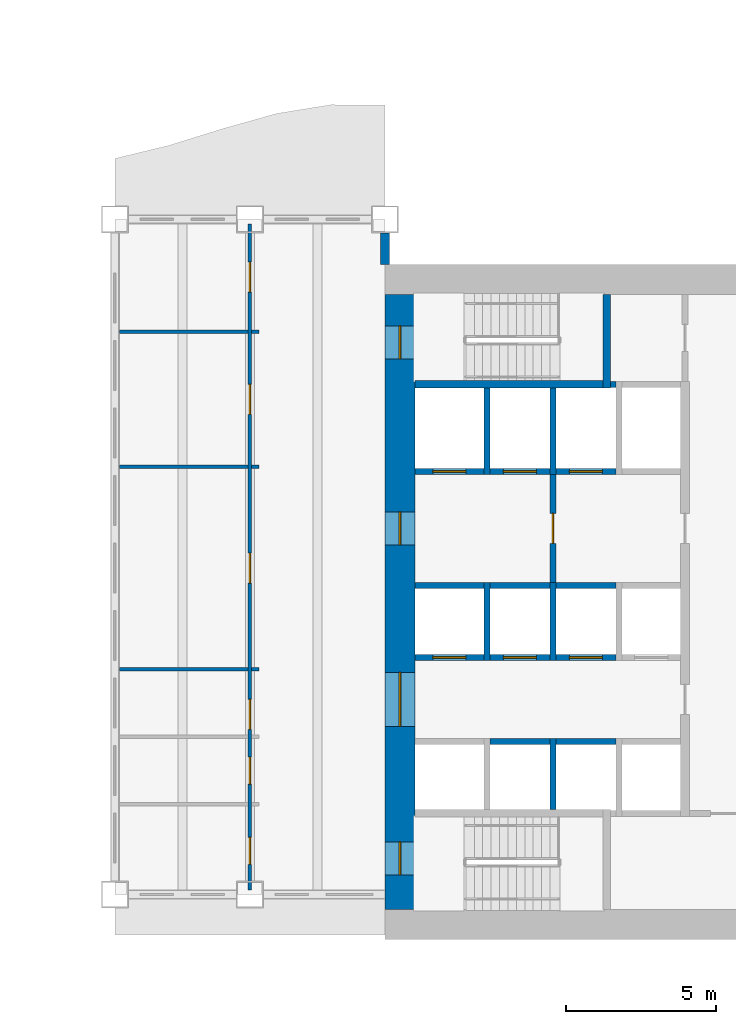
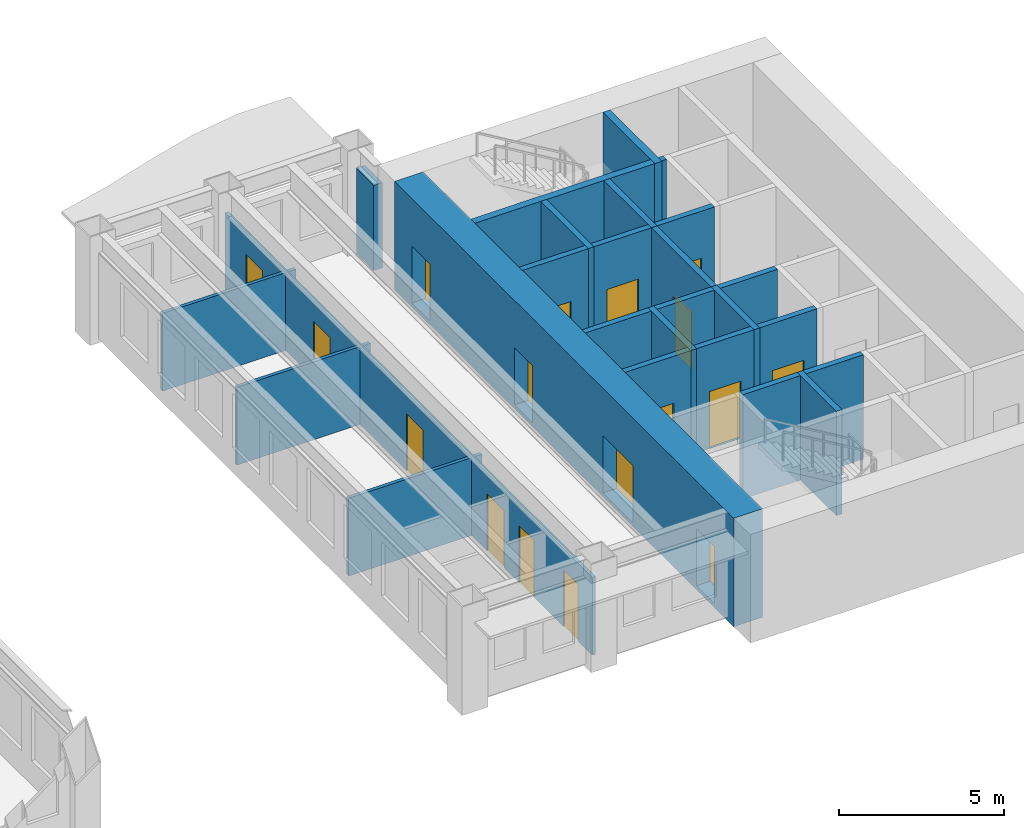
# One storey, part 6 of 13: 29 walls, 17 doors, 17 openings.
"""IFC4 building model written with IfcOpenShell, lengths in metres."""

from ifc_helpers import new_model, si_unit, direction, frame, frame_2d, origin, place, context, subcontext, project, spatial, rectangle, extrude, material, layer, layer_set, type_object, element, fill, save


model = new_model("IFC4")

# Units and contexts
model_context = context("Model", 3, precision=1e-05, world=origin(), true_north=direction((0.0, 1.0)))
body_context = subcontext(model_context, "Body", "Model", "MODEL_VIEW")
ifc_project = project(units=[si_unit("LENGTHUNIT", "METRE"), si_unit("AREAUNIT", "SQUARE_METRE"), si_unit("VOLUMEUNIT", "CUBIC_METRE"), si_unit("PLANEANGLEUNIT", "RADIAN"), si_unit("MASSUNIT", "GRAM", prefix="KILO")], contexts=[model_context])

# Site, building, storey
site_placement = place(None, origin())
site = spatial("IfcSite", under=ifc_project, at=site_placement, CompositionType="ELEMENT")
building_placement = place(site_placement, origin())
building = spatial("IfcBuilding", under=site, at=building_placement, Name="Sennacour Bend Tower", CompositionType="ELEMENT")
storey_placement = place(building_placement, frame((0.0, 0.0, 139.0)))
storey = spatial("IfcBuildingStorey", under=building, at=storey_placement, Name="L31", CompositionType="ELEMENT", Elevation=139.0)

# Wall, openings, doors
ifc_material_1 = material(Name="Concrete C60/75", Category="concrete")
ifc_layer_1 = layer(ifc_material_1, 1.0, Name="Concrete C60/75", Category="concrete")
ifc_layer_set_1 = layer_set([ifc_layer_1], Name="Concrete C60/75")
wall_type_1 = type_object("IfcWallType", Name="Core wall 1000 C60/75", PredefinedType="SHEAR", material=ifc_layer_set_1)
wall_1_placement = place(storey_placement, frame((54.5, 1.0, -0.14990234375), z_axis=(0.0, 0.0, 1.0), x_axis=(0.0, 1.0, 0.0)))
wall_1 = element("IfcWall", 1, at=wall_1_placement, inside=storey, type_object=wall_type_1, Name="Core A wall L31 W", PredefinedType="SHEAR", context=body_context, shape_type="SweptSolid", body=[
    extrude(rectangle(XDim=20.5, YDim=1.0, at=frame_2d((10.25, 0.0))), origin(), (0.0, 0.0, 1.0), 4.0),
])
opening_1_placement = place(wall_1_placement, frame((6.10009765625, 0.0, 0.14990234375)))
opening_1 = element("IfcOpeningElement", 2, at=opening_1_placement, cuts=wall_1, Name="Opening CD", PredefinedType="OPENING", context=body_context, shape_type="SweptSolid", body=[
    extrude(rectangle(XDim=1.800048828125, YDim=2.10009765625, at=frame_2d((0.89990234375, 1.050048828125))), frame((0.0, 0.510009765625, 0.0), z_axis=(0.0, -1.0, 0.0), x_axis=(1.0, 0.0, 0.0)), (0.0, 0.0, 1.0), 1.02001953125),
])
opening_2_placement = place(wall_1_placement, frame((12.14990234375, 0.0, 0.14990234375)))
opening_2 = element("IfcOpeningElement", 3, at=opening_2_placement, cuts=wall_1, Name="Opening FD", PredefinedType="OPENING", context=body_context, shape_type="SweptSolid", body=[
    extrude(rectangle(XDim=1.10009765625, YDim=2.10009765625, at=frame_2d((0.550048828125, 1.050048828125))), frame((0.0, 0.510009765625, 0.0), z_axis=(0.0, -1.0, 0.0), x_axis=(1.0, 0.0, 0.0)), (0.0, 0.0, 1.0), 1.02001953125),
])
opening_3_placement = place(wall_1_placement, frame((1.14990234375, 0.0, 0.14990234375)))
opening_3 = element("IfcOpeningElement", 4, at=opening_3_placement, cuts=wall_1, Name="Opening SD", PredefinedType="OPENING", context=body_context, shape_type="SweptSolid", body=[
    extrude(rectangle(XDim=1.10009765625, YDim=2.10009765625, at=frame_2d((0.550048828125, 1.050048828125))), frame((0.0, 0.510009765625, 0.0), z_axis=(0.0, -1.0, 0.0), x_axis=(1.0, 0.0, 0.0)), (0.0, 0.0, 1.0), 1.02001953125),
])
opening_4_placement = place(wall_1_placement, frame((18.35009765625, 0.0, 0.14990234375)))
opening_4 = element("IfcOpeningElement", 5, at=opening_4_placement, cuts=wall_1, Name="Opening SD", PredefinedType="OPENING", context=body_context, shape_type="SweptSolid", body=[
    extrude(rectangle(XDim=1.10009765625, YDim=2.10009765625, at=frame_2d((0.550048828125, 1.050048828125))), frame((0.0, 0.510009765625, 0.0), z_axis=(0.0, -1.0, 0.0), x_axis=(1.0, 0.0, 0.0)), (0.0, 0.0, 1.0), 1.02001953125),
])
ifc_material_2 = material(Name="Painted steel", Category="steel")
door_type_1 = type_object("IfcDoorType", Name="DR-FFL-1100", OperationType="NOTDEFINED", PredefinedType="DOOR", material=ifc_material_2)
door_1_placement = place(opening_2_placement, origin())
door_1 = element("IfcDoor", 6, at=door_1_placement, inside=storey, type_object=door_type_1, Name="Door", OperationType="SINGLE_SWING_RIGHT", OverallHeight=2.10009765625, OverallWidth=1.10009765625, PredefinedType="DOOR", context=body_context, shape_type="SweptSolid", body=[
    extrude(rectangle(XDim=1.10009765625, YDim=2.10009765625, at=frame_2d((0.550048828125, 1.050048828125))), frame((0.0, 0.02490234375, 0.0), z_axis=(0.0, -1.0, 0.0), x_axis=(1.0, 0.0, 0.0)), (0.0, 0.0, 1.0), 0.050048828125),
])
fill(opening_2, door_1)
door_type_2 = type_object("IfcDoorType", Name="DR-LOBBY-1800", OperationType="NOTDEFINED", PredefinedType="DOOR", material=ifc_material_2)
door_2_placement = place(opening_1_placement, origin())
door_2 = element("IfcDoor", 7, at=door_2_placement, inside=storey, type_object=door_type_2, Name="Door", OperationType="DOUBLE_DOOR_SINGLE_SWING", OverallHeight=2.10009765625, OverallWidth=1.800048828125, PredefinedType="DOOR", context=body_context, shape_type="SweptSolid", body=[
    extrude(rectangle(XDim=1.800048828125, YDim=2.10009765625, at=frame_2d((0.89990234375, 1.050048828125))), frame((0.0, 0.02490234375, 0.0), z_axis=(0.0, -1.0, 0.0), x_axis=(1.0, 0.0, 0.0)), (0.0, 0.0, 1.0), 0.050048828125),
])
fill(opening_1, door_2)
door_type_3 = type_object("IfcDoorType", Name="DR-STAIR-1100", OperationType="NOTDEFINED", PredefinedType="DOOR", material=ifc_material_2)
door_3_placement = place(opening_3_placement, origin())
door_3 = element("IfcDoor", 8, at=door_3_placement, inside=storey, type_object=door_type_3, Name="Door", OperationType="SINGLE_SWING_LEFT", OverallHeight=2.10009765625, OverallWidth=1.10009765625, PredefinedType="DOOR", context=body_context, shape_type="SweptSolid", body=[
    extrude(rectangle(XDim=1.10009765625, YDim=2.10009765625, at=frame_2d((0.550048828125, 1.050048828125))), frame((0.0, 0.02490234375, 0.0), z_axis=(0.0, -1.0, 0.0), x_axis=(1.0, 0.0, 0.0)), (0.0, 0.0, 1.0), 0.050048828125),
])
fill(opening_3, door_3)
door_4_placement = place(opening_4_placement, origin())
door_4 = element("IfcDoor", 9, at=door_4_placement, inside=storey, type_object=door_type_3, Name="Door", OperationType="SINGLE_SWING_RIGHT", OverallHeight=2.10009765625, OverallWidth=1.10009765625, PredefinedType="DOOR", context=body_context, shape_type="SweptSolid", body=[
    extrude(rectangle(XDim=1.10009765625, YDim=2.10009765625, at=frame_2d((0.550048828125, 1.050048828125))), frame((0.0, 0.02490234375, 0.0), z_axis=(0.0, -1.0, 0.0), x_axis=(1.0, 0.0, 0.0)), (0.0, 0.0, 1.0), 0.050048828125),
])
fill(opening_4, door_4)

ifc_material_3 = material(Name="Plasterboard partition on steel studs", Category="steel")
ifc_layer_2 = layer(ifc_material_3, 0.1201171875, Name="Plasterboard partition on steel studs", Category="steel")
ifc_layer_set_2 = layer_set([ifc_layer_2], Name="Plasterboard partition on steel studs")
wall_type_2 = type_object("IfcWallType", Name="Partition 120", PredefinedType="PARTITIONING", material=ifc_layer_set_2)
wall_2_placement = place(storey_placement, frame((49.5, 1.64990234375, 0.0), z_axis=(0.0, 0.0, 1.0), x_axis=(0.0, 1.0, 0.0)))
wall_2 = element("IfcWall", 10, at=wall_2_placement, inside=storey, type_object=wall_type_2, Name="P-L31-W026a", PredefinedType="PARTITIONING", context=body_context, shape_type="SweptSolid", body=[
    extrude(rectangle(XDim=22.2001953125, YDim=0.1201171875, at=frame_2d((11.10009765625, 0.0))), origin(), (0.0, 0.0, 1.0), 2.8701171875),
])
opening_5_placement = place(wall_2_placement, frame((0.85009765625, 0.0, 0.0)))
opening_5 = element("IfcOpeningElement", 11, at=opening_5_placement, cuts=wall_2, Name="Opening WD", PredefinedType="OPENING", context=body_context, shape_type="SweptSolid", body=[
    extrude(rectangle(XDim=0.89990234375, YDim=2.10009765625, at=frame_2d((0.449951171875, 1.050048828125))), frame((0.0, 0.070068359375, 0.0), z_axis=(0.0, -1.0, 0.0), x_axis=(1.0, 0.0, 0.0)), (0.0, 0.0, 1.0), 0.14013671875),
])
opening_6_placement = place(wall_2_placement, frame((3.525146484375, 0.0, 0.0)))
opening_6 = element("IfcOpeningElement", 12, at=opening_6_placement, cuts=wall_2, Name="Opening WD", PredefinedType="OPENING", context=body_context, shape_type="SweptSolid", body=[
    extrude(rectangle(XDim=0.89990234375, YDim=2.10009765625, at=frame_2d((0.449951171875, 1.050048828125))), frame((0.0, 0.070068359375, 0.0), z_axis=(0.0, -1.0, 0.0), x_axis=(1.0, 0.0, 0.0)), (0.0, 0.0, 1.0), 0.14013671875),
])
opening_7_placement = place(wall_2_placement, frame((5.35009765625, 0.0, 0.0)))
opening_7 = element("IfcOpeningElement", 13, at=opening_7_placement, cuts=wall_2, Name="Opening AD", PredefinedType="OPENING", context=body_context, shape_type="SweptSolid", body=[
    extrude(rectangle(XDim=1.0, YDim=2.10009765625, at=frame_2d((0.5, 1.050048828125))), frame((0.0, 0.070068359375, 0.0), z_axis=(0.0, -1.0, 0.0), x_axis=(1.0, 0.0, 0.0)), (0.0, 0.0, 1.0), 0.14013671875),
])
opening_8_placement = place(wall_2_placement, frame((10.22509765625, 0.0, 0.0)))
opening_8 = element("IfcOpeningElement", 14, at=opening_8_placement, cuts=wall_2, Name="Opening MD2", PredefinedType="OPENING", context=body_context, shape_type="SweptSolid", body=[
    extrude(rectangle(XDim=1.0, YDim=2.10009765625, at=frame_2d((0.5, 1.050048828125))), frame((0.0, 0.070068359375, 0.0), z_axis=(0.0, -1.0, 0.0), x_axis=(1.0, 0.0, 0.0)), (0.0, 0.0, 1.0), 0.14013671875),
])
opening_9_placement = place(wall_2_placement, frame((15.85009765625, 0.0, 0.0)))
opening_9 = element("IfcOpeningElement", 15, at=opening_9_placement, cuts=wall_2, Name="Opening OD2", PredefinedType="OPENING", context=body_context, shape_type="SweptSolid", body=[
    extrude(rectangle(XDim=1.0, YDim=2.10009765625, at=frame_2d((0.5, 1.050048828125))), frame((0.0, 0.070068359375, 0.0), z_axis=(0.0, -1.0, 0.0), x_axis=(1.0, 0.0, 0.0)), (0.0, 0.0, 1.0), 0.14013671875),
])
opening_10_placement = place(wall_2_placement, frame((19.920166015625, 0.0, 0.0)))
opening_10 = element("IfcOpeningElement", 16, at=opening_10_placement, cuts=wall_2, Name="Opening OD2", PredefinedType="OPENING", context=body_context, shape_type="SweptSolid", body=[
    extrude(rectangle(XDim=1.0, YDim=2.10009765625, at=frame_2d((0.5, 1.050048828125))), frame((0.0, 0.070068359375, 0.0), z_axis=(0.0, -1.0, 0.0), x_axis=(1.0, 0.0, 0.0)), (0.0, 0.0, 1.0), 0.14013671875),
])
ifc_material_4 = material(Name="Timber", Category="wood")
door_type_4 = type_object("IfcDoorType", Name="DR-ACC-WC-1000", OperationType="NOTDEFINED", PredefinedType="DOOR", material=ifc_material_4)
door_5_placement = place(opening_7_placement, origin())
door_5 = element("IfcDoor", 17, at=door_5_placement, inside=storey, type_object=door_type_4, Name="Door", OperationType="SINGLE_SWING_LEFT", OverallHeight=2.10009765625, OverallWidth=1.0, PredefinedType="DOOR", context=body_context, shape_type="SweptSolid", body=[
    extrude(rectangle(XDim=1.0, YDim=2.10009765625, at=frame_2d((0.5, 1.050048828125))), frame((0.0, 0.02490234375, 0.0), z_axis=(0.0, -1.0, 0.0), x_axis=(1.0, 0.0, 0.0)), (0.0, 0.0, 1.0), 0.050048828125),
])
fill(opening_7, door_5)
door_type_5 = type_object("IfcDoorType", Name="DR-MEETING-1000", OperationType="NOTDEFINED", PredefinedType="DOOR", material=ifc_material_4)
door_6_placement = place(opening_8_placement, origin())
door_6 = element("IfcDoor", 18, at=door_6_placement, inside=storey, type_object=door_type_5, Name="Door", OperationType="SINGLE_SWING_LEFT", OverallHeight=2.10009765625, OverallWidth=1.0, PredefinedType="DOOR", context=body_context, shape_type="SweptSolid", body=[
    extrude(rectangle(XDim=1.0, YDim=2.10009765625, at=frame_2d((0.5, 1.050048828125))), frame((0.0, 0.02490234375, 0.0), z_axis=(0.0, -1.0, 0.0), x_axis=(1.0, 0.0, 0.0)), (0.0, 0.0, 1.0), 0.050048828125),
])
fill(opening_8, door_6)
door_type_6 = type_object("IfcDoorType", Name="DR-OFFICE-1000", OperationType="NOTDEFINED", PredefinedType="DOOR", material=ifc_material_4)
door_7_placement = place(opening_9_placement, origin())
door_7 = element("IfcDoor", 19, at=door_7_placement, inside=storey, type_object=door_type_6, Name="Door", OperationType="SINGLE_SWING_RIGHT", OverallHeight=2.10009765625, OverallWidth=1.0, PredefinedType="DOOR", context=body_context, shape_type="SweptSolid", body=[
    extrude(rectangle(XDim=1.0, YDim=2.10009765625, at=frame_2d((0.5, 1.050048828125))), frame((0.0, 0.02490234375, 0.0), z_axis=(0.0, -1.0, 0.0), x_axis=(1.0, 0.0, 0.0)), (0.0, 0.0, 1.0), 0.050048828125),
])
fill(opening_9, door_7)
door_8_placement = place(opening_10_placement, origin())
door_8 = element("IfcDoor", 20, at=door_8_placement, inside=storey, type_object=door_type_6, Name="Door", OperationType="SINGLE_SWING_RIGHT", OverallHeight=2.10009765625, OverallWidth=1.0, PredefinedType="DOOR", context=body_context, shape_type="SweptSolid", body=[
    extrude(rectangle(XDim=1.0, YDim=2.10009765625, at=frame_2d((0.5, 1.050048828125))), frame((0.0, 0.02490234375, 0.0), z_axis=(0.0, -1.0, 0.0), x_axis=(1.0, 0.0, 0.0)), (0.0, 0.0, 1.0), 0.050048828125),
])
fill(opening_10, door_8)
door_type_7 = type_object("IfcDoorType", Name="DR-WC-900", OperationType="NOTDEFINED", PredefinedType="DOOR", material=ifc_material_4)
door_9_placement = place(opening_5_placement, origin())
door_9 = element("IfcDoor", 21, at=door_9_placement, inside=storey, type_object=door_type_7, Name="Door", OperationType="SINGLE_SWING_LEFT", OverallHeight=2.10009765625, OverallWidth=0.89990234375, PredefinedType="DOOR", context=body_context, shape_type="SweptSolid", body=[
    extrude(rectangle(XDim=0.89990234375, YDim=2.10009765625, at=frame_2d((0.449951171875, 1.050048828125))), frame((0.0, 0.02490234375, 0.0), z_axis=(0.0, -1.0, 0.0), x_axis=(1.0, 0.0, 0.0)), (0.0, 0.0, 1.0), 0.050048828125),
])
fill(opening_5, door_9)
door_10_placement = place(opening_6_placement, origin())
door_10 = element("IfcDoor", 22, at=door_10_placement, inside=storey, type_object=door_type_7, Name="Door", OperationType="SINGLE_SWING_LEFT", OverallHeight=2.10009765625, OverallWidth=0.89990234375, PredefinedType="DOOR", context=body_context, shape_type="SweptSolid", body=[
    extrude(rectangle(XDim=0.89990234375, YDim=2.10009765625, at=frame_2d((0.449951171875, 1.050048828125))), frame((0.0, 0.02490234375, 0.0), z_axis=(0.0, -1.0, 0.0), x_axis=(1.0, 0.0, 0.0)), (0.0, 0.0, 1.0), 0.050048828125),
])
fill(opening_6, door_10)

# Walls
wall_3_placement = place(storey_placement, frame((45.14990234375, 9.0, 0.0), z_axis=(0.0, 0.0, 1.0), x_axis=(1.0, 0.0, 0.0)))
element("IfcWall", 23, at=wall_3_placement, inside=storey, type_object=wall_type_2, Name="P-L31-W054aa", PredefinedType="PARTITIONING", context=body_context, shape_type="SweptSolid", body=[
    extrude(rectangle(XDim=4.2900390625, YDim=0.1201171875, at=frame_2d((2.14501953125, 0.0))), origin(), (0.0, 0.0, 1.0), 2.8701171875),
])
wall_4_placement = place(storey_placement, frame((49.56005859375, 9.0, 0.0), z_axis=(0.0, 0.0, 1.0), x_axis=(1.0, 0.0, 0.0)))
element("IfcWall", 24, at=wall_4_placement, inside=storey, type_object=wall_type_2, Name="P-L31-W054ab", PredefinedType="PARTITIONING", context=body_context, shape_type="SweptSolid", body=[
    extrude(rectangle(XDim=0.239990234375, YDim=0.1201171875, at=frame_2d((0.1201171875, 0.0))), origin(), (0.0, 0.0, 1.0), 2.8701171875),
])
wall_5_placement = place(storey_placement, frame((45.14990234375, 15.75, 0.0), z_axis=(0.0, 0.0, 1.0), x_axis=(1.0, 0.0, 0.0)))
element("IfcWall", 25, at=wall_5_placement, inside=storey, type_object=wall_type_2, Name="P-L31-W060aa", PredefinedType="PARTITIONING", context=body_context, shape_type="SweptSolid", body=[
    extrude(rectangle(XDim=4.2900390625, YDim=0.1201171875, at=frame_2d((2.14501953125, 0.0))), origin(), (0.0, 0.0, 1.0), 2.8701171875),
])
wall_6_placement = place(storey_placement, frame((49.56005859375, 15.75, 0.0), z_axis=(0.0, 0.0, 1.0), x_axis=(1.0, 0.0, 0.0)))
element("IfcWall", 26, at=wall_6_placement, inside=storey, type_object=wall_type_2, Name="P-L31-W060ab", PredefinedType="PARTITIONING", context=body_context, shape_type="SweptSolid", body=[
    extrude(rectangle(XDim=0.239990234375, YDim=0.1201171875, at=frame_2d((0.1201171875, 0.0))), origin(), (0.0, 0.0, 1.0), 2.8701171875),
])
wall_7_placement = place(storey_placement, frame((45.14990234375, 20.25, 0.0), z_axis=(0.0, 0.0, 1.0), x_axis=(1.0, 0.0, 0.0)))
element("IfcWall", 27, at=wall_7_placement, inside=storey, type_object=wall_type_2, Name="P-L31-W064aa", PredefinedType="PARTITIONING", context=body_context, shape_type="SweptSolid", body=[
    extrude(rectangle(XDim=4.2900390625, YDim=0.1201171875, at=frame_2d((2.14501953125, 0.0))), origin(), (0.0, 0.0, 1.0), 2.8701171875),
])
wall_8_placement = place(storey_placement, frame((49.56005859375, 20.25, 0.0), z_axis=(0.0, 0.0, 1.0), x_axis=(1.0, 0.0, 0.0)))
element("IfcWall", 28, at=wall_8_placement, inside=storey, type_object=wall_type_2, Name="P-L31-W064ab", PredefinedType="PARTITIONING", context=body_context, shape_type="SweptSolid", body=[
    extrude(rectangle(XDim=0.239990234375, YDim=0.1201171875, at=frame_2d((0.1201171875, 0.0))), origin(), (0.0, 0.0, 1.0), 2.8701171875),
])

# Wall, opening, door
ifc_material_5 = material(Name="Fire-rated plasterboard partition on steel studs", Category="steel")
ifc_layer_3 = layer(ifc_material_5, 0.199951171875, Name="Fire-rated plasterboard partition on steel studs", Category="steel")
ifc_layer_set_3 = layer_set([ifc_layer_3], Name="Fire-rated plasterboard partition on steel studs")
wall_type_3 = type_object("IfcWallType", Name="Rated partition 200 EI 90", PredefinedType="PARTITIONING", material=ifc_layer_set_3)
wall_9_placement = place(storey_placement, frame((59.60009765625, 11.89990234375, 0.0), z_axis=(0.0, 0.0, 1.0), x_axis=(0.0, 1.0, 0.0)))
wall_9 = element("IfcWall", 29, at=wall_9_placement, inside=storey, type_object=wall_type_3, Name="P-L31-W033", PredefinedType="PARTITIONING", context=body_context, shape_type="SweptSolid", body=[
    extrude(rectangle(XDim=3.60009765625, YDim=0.199951171875, at=frame_2d((1.800048828125, 0.0))), origin(), (0.0, 0.0, 1.0), 3.85009765625),
])
opening_11_placement = place(wall_9_placement, frame((1.300048828125, 0.0, 0.0)))
opening_11 = element("IfcOpeningElement", 30, at=opening_11_placement, cuts=wall_9, Name="Opening FD2", PredefinedType="OPENING", context=body_context, shape_type="SweptSolid", body=[
    extrude(rectangle(XDim=1.0, YDim=2.10009765625, at=frame_2d((0.5, 1.050048828125))), frame((0.0, 0.10986328125, 0.0), z_axis=(0.0, -1.0, 0.0), x_axis=(1.0, 0.0, 0.0)), (0.0, 0.0, 1.0), 0.219970703125),
])
door_type_8 = type_object("IfcDoorType", Name="DR-FFL-1000", OperationType="NOTDEFINED", PredefinedType="DOOR", material=ifc_material_2)
door_11_placement = place(opening_11_placement, origin())
door_11 = element("IfcDoor", 31, at=door_11_placement, inside=storey, type_object=door_type_8, Name="Door", OperationType="SINGLE_SWING_LEFT", OverallHeight=2.10009765625, OverallWidth=1.0, PredefinedType="DOOR", context=body_context, shape_type="SweptSolid", body=[
    extrude(rectangle(XDim=1.0, YDim=2.10009765625, at=frame_2d((0.5, 1.050048828125))), frame((0.0, 0.02490234375, 0.0), z_axis=(0.0, -1.0, 0.0), x_axis=(1.0, 0.0, 0.0)), (0.0, 0.0, 1.0), 0.050048828125),
])
fill(opening_11, door_11)

# Walls
ifc_material_6 = material(Name="Warm limestone cladding", Category="masonry")
ifc_layer_4 = layer(ifc_material_6, 0.050048828125, Name="Warm limestone cladding", Category="masonry")
ifc_material_7 = material(Name="Precast concrete C40/50", Category="concrete")
ifc_layer_5 = layer(ifc_material_7, 0.25, Name="Precast concrete C40/50", Category="concrete")
ifc_layer_set_4 = layer_set([ifc_layer_4, ifc_layer_5], Name="Precast concrete C40/50 with limestone cladding")
wall_type_4 = type_object("IfcWallType", Name="STONE-CLAD PRECAST SPANDREL 300", PredefinedType="STANDARD", material=ifc_layer_set_4)
wall_10_placement = place(storey_placement, frame((54.0, 22.5, 0.0), z_axis=(0.0, 0.0, 1.0), x_axis=(0.0, 1.0, 0.0)))
element("IfcWall", 32, at=wall_10_placement, inside=storey, type_object=wall_type_4, Name="Stone spandrel and pier wall L31 05.00", PredefinedType="STANDARD", context=body_context, shape_type="SweptSolid", body=[
    extrude(rectangle(XDim=1.050048828125, YDim=0.300048828125, at=frame_2d((0.52490234375, 0.0))), origin(), (0.0, 0.0, 1.0), 3.14892578125),
])
ifc_material_8 = material(Name="Concrete C50/60", Category="concrete")
ifc_layer_6 = layer(ifc_material_8, 0.199951171875, Name="Concrete C50/60", Category="concrete")
ifc_layer_set_5 = layer_set([ifc_layer_6], Name="Concrete C50/60")
wall_type_5 = type_object("IfcWallType", Name="Shaft wall 200", PredefinedType="SOLIDWALL", material=ifc_layer_set_5)
wall_11_placement = place(storey_placement, frame((57.39990234375, 9.300048828125, 0.0), z_axis=(0.0, 0.0, 1.0), x_axis=(0.0, 1.0, 0.0)))
element("IfcWall", 33, at=wall_11_placement, inside=storey, type_object=wall_type_5, Name="P-L31-W029", PredefinedType="SOLIDWALL", context=body_context, shape_type="SweptSolid", body=[
    extrude(rectangle(XDim=2.599853515625, YDim=0.199951171875, at=frame_2d((1.2998046875, 0.0))), origin(), (0.0, 0.0, 1.0), 3.85009765625),
])
wall_12_placement = place(storey_placement, frame((57.39990234375, 15.5, 0.0), z_axis=(0.0, 0.0, 1.0), x_axis=(0.0, 1.0, 0.0)))
element("IfcWall", 34, at=wall_12_placement, inside=storey, type_object=wall_type_5, Name="P-L31-W030", PredefinedType="SOLIDWALL", context=body_context, shape_type="SweptSolid", body=[
    extrude(rectangle(XDim=2.875, YDim=0.199951171875, at=frame_2d((1.4375, 0.0))), origin(), (0.0, 0.0, 1.0), 3.85009765625),
])
wall_13_placement = place(storey_placement, frame((59.60009765625, 4.324951171875, 0.0), z_axis=(0.0, 0.0, 1.0), x_axis=(0.0, 1.0, 0.0)))
element("IfcWall", 35, at=wall_13_placement, inside=storey, type_object=wall_type_5, Name="P-L31-W031", PredefinedType="SOLIDWALL", context=body_context, shape_type="SweptSolid", body=[
    extrude(rectangle(XDim=2.375, YDim=0.199951171875, at=frame_2d((1.1875, 0.0))), origin(), (0.0, 0.0, 1.0), 3.85009765625),
])
wall_14_placement = place(storey_placement, frame((59.60009765625, 9.300048828125, 0.0), z_axis=(0.0, 0.0, 1.0), x_axis=(0.0, 1.0, 0.0)))
element("IfcWall", 36, at=wall_14_placement, inside=storey, type_object=wall_type_5, Name="P-L31-W032", PredefinedType="SOLIDWALL", context=body_context, shape_type="SweptSolid", body=[
    extrude(rectangle(XDim=2.599853515625, YDim=0.199951171875, at=frame_2d((1.2998046875, 0.0))), origin(), (0.0, 0.0, 1.0), 3.85009765625),
])
wall_15_placement = place(storey_placement, frame((59.60009765625, 15.5, 0.0), z_axis=(0.0, 0.0, 1.0), x_axis=(0.0, 1.0, 0.0)))
element("IfcWall", 37, at=wall_15_placement, inside=storey, type_object=wall_type_5, Name="P-L31-W034", PredefinedType="SOLIDWALL", context=body_context, shape_type="SweptSolid", body=[
    extrude(rectangle(XDim=2.875, YDim=0.199951171875, at=frame_2d((1.4375, 0.0))), origin(), (0.0, 0.0, 1.0), 3.85009765625),
])
for number, where, z_axis, x_axis, name in (
    (38, (57.5, 6.60009765625, 0.0), (0.0, 0.0, 1.0), (1.0, 0.0, 0.0), "P-L31-W051b"),
    (39, (59.699951171875, 6.60009765625, 0.0), (0.0, 0.0, 1.0), (1.0, 0.0, 0.0), "P-L31-W051c"),
):
    element("IfcWall", number, at=place(storey_placement, frame(where, z_axis=z_axis, x_axis=x_axis)), inside=storey, type_object=wall_type_5, Name=name, PredefinedType="SOLIDWALL", context=body_context, shape_type="SweptSolid", body=[
        extrude(rectangle(XDim=2.0, YDim=0.199951171875, at=frame_2d((1.0, 0.0))), origin(), (0.0, 0.0, 1.0), 3.85009765625),
    ])

# Wall, opening, door
wall_16_placement = place(storey_placement, frame((55.0, 9.39990234375, 0.0), z_axis=(0.0, 0.0, 1.0), x_axis=(1.0, 0.0, 0.0)))
wall_16 = element("IfcWall", 40, at=wall_16_placement, inside=storey, type_object=wall_type_5, Name="P-L31-W055a", PredefinedType="SOLIDWALL", context=body_context, shape_type="SweptSolid", body=[
    extrude(rectangle(XDim=2.300048828125, YDim=0.199951171875, at=frame_2d((1.14990234375, 0.0))), origin(), (0.0, 0.0, 1.0), 3.85009765625),
])
opening_12_placement = place(wall_16_placement, frame((0.60009765625, 0.0, 0.011962890625)))
opening_12 = element("IfcOpeningElement", 41, at=opening_12_placement, cuts=wall_16, Name="Opening LD", PredefinedType="OPENING", context=body_context, shape_type="SweptSolid", body=[
    extrude(rectangle(XDim=1.10009765625, YDim=2.10009765625, at=frame_2d((0.550048828125, 1.050048828125))), frame((0.0, 0.10986328125, 0.0), z_axis=(0.0, -1.0, 0.0), x_axis=(1.0, 0.0, 0.0)), (0.0, 0.0, 1.0), 0.219970703125),
])
ifc_material_9 = material(Name="Stainless steel", Category="steel")
door_type_9 = type_object("IfcDoorType", Name="DR-LANDING-1100", OperationType="NOTDEFINED", PredefinedType="DOOR", material=ifc_material_9)
door_12_placement = place(opening_12_placement, origin())
door_12 = element("IfcDoor", 42, at=door_12_placement, inside=storey, type_object=door_type_9, Name="Lift landing door HA1", OperationType="SLIDING_TO_LEFT", OverallHeight=2.10009765625, OverallWidth=1.10009765625, PredefinedType="DOOR", context=body_context, shape_type="SweptSolid", body=[
    extrude(rectangle(XDim=1.10009765625, YDim=2.10009765625, at=frame_2d((0.550048828125, 1.050048828125))), frame((0.0, 0.02490234375, 0.0), z_axis=(0.0, -1.0, 0.0), x_axis=(1.0, 0.0, 0.0)), (0.0, 0.0, 1.0), 0.050048828125),
])
fill(opening_12, door_12)

wall_17_placement = place(storey_placement, frame((57.5, 9.39990234375, 0.0), z_axis=(0.0, 0.0, 1.0), x_axis=(1.0, 0.0, 0.0)))
wall_17 = element("IfcWall", 43, at=wall_17_placement, inside=storey, type_object=wall_type_5, Name="P-L31-W055b", PredefinedType="SOLIDWALL", context=body_context, shape_type="SweptSolid", body=[
    extrude(rectangle(XDim=2.0, YDim=0.199951171875, at=frame_2d((1.0, 0.0))), origin(), (0.0, 0.0, 1.0), 3.85009765625),
])
opening_13_placement = place(wall_17_placement, frame((0.449951171875, 0.0, 0.011962890625)))
opening_13 = element("IfcOpeningElement", 44, at=opening_13_placement, cuts=wall_17, Name="Opening LD", PredefinedType="OPENING", context=body_context, shape_type="SweptSolid", body=[
    extrude(rectangle(XDim=1.10009765625, YDim=2.10009765625, at=frame_2d((0.550048828125, 1.050048828125))), frame((0.0, 0.10986328125, 0.0), z_axis=(0.0, -1.0, 0.0), x_axis=(1.0, 0.0, 0.0)), (0.0, 0.0, 1.0), 0.219970703125),
])
door_13_placement = place(opening_13_placement, origin())
door_13 = element("IfcDoor", 45, at=door_13_placement, inside=storey, type_object=door_type_9, Name="Lift landing door HA2", OperationType="SLIDING_TO_RIGHT", OverallHeight=2.10009765625, OverallWidth=1.10009765625, PredefinedType="DOOR", context=body_context, shape_type="SweptSolid", body=[
    extrude(rectangle(XDim=1.10009765625, YDim=2.10009765625, at=frame_2d((0.550048828125, 1.050048828125))), frame((0.0, 0.02490234375, 0.0), z_axis=(0.0, -1.0, 0.0), x_axis=(1.0, 0.0, 0.0)), (0.0, 0.0, 1.0), 0.050048828125),
])
fill(opening_13, door_13)

wall_18_placement = place(storey_placement, frame((59.699951171875, 9.39990234375, 0.0), z_axis=(0.0, 0.0, 1.0), x_axis=(1.0, 0.0, 0.0)))
wall_18 = element("IfcWall", 46, at=wall_18_placement, inside=storey, type_object=wall_type_5, Name="P-L31-W055c", PredefinedType="SOLIDWALL", context=body_context, shape_type="SweptSolid", body=[
    extrude(rectangle(XDim=2.0, YDim=0.199951171875, at=frame_2d((1.0, 0.0))), origin(), (0.0, 0.0, 1.0), 3.85009765625),
])
opening_14_placement = place(wall_18_placement, frame((0.449951171875, 0.0, 0.011962890625)))
opening_14 = element("IfcOpeningElement", 47, at=opening_14_placement, cuts=wall_18, Name="Opening LD", PredefinedType="OPENING", context=body_context, shape_type="SweptSolid", body=[
    extrude(rectangle(XDim=1.10009765625, YDim=2.10009765625, at=frame_2d((0.550048828125, 1.050048828125))), frame((0.0, 0.10986328125, 0.0), z_axis=(0.0, -1.0, 0.0), x_axis=(1.0, 0.0, 0.0)), (0.0, 0.0, 1.0), 0.219970703125),
])
door_14_placement = place(opening_14_placement, origin())
door_14 = element("IfcDoor", 48, at=door_14_placement, inside=storey, type_object=door_type_9, Name="Lift landing door HA3", OperationType="SLIDING_TO_LEFT", OverallHeight=2.10009765625, OverallWidth=1.10009765625, PredefinedType="DOOR", context=body_context, shape_type="SweptSolid", body=[
    extrude(rectangle(XDim=1.10009765625, YDim=2.10009765625, at=frame_2d((0.550048828125, 1.050048828125))), frame((0.0, 0.02490234375, 0.0), z_axis=(0.0, -1.0, 0.0), x_axis=(1.0, 0.0, 0.0)), (0.0, 0.0, 1.0), 0.050048828125),
])
fill(opening_14, door_14)

# Walls
wall_19_placement = place(storey_placement, frame((55.0, 11.800048828125, 0.0), z_axis=(0.0, 0.0, 1.0), x_axis=(1.0, 0.0, 0.0)))
element("IfcWall", 49, at=wall_19_placement, inside=storey, type_object=wall_type_5, Name="P-L31-W057a", PredefinedType="SOLIDWALL", context=body_context, shape_type="SweptSolid", body=[
    extrude(rectangle(XDim=2.300048828125, YDim=0.199951171875, at=frame_2d((1.14990234375, 0.0))), origin(), (0.0, 0.0, 1.0), 3.85009765625),
])
for number, where, z_axis, x_axis, name in (
    (50, (57.5, 11.800048828125, 0.0), (0.0, 0.0, 1.0), (1.0, 0.0, 0.0), "P-L31-W057b"),
    (51, (59.699951171875, 11.800048828125, 0.0), (0.0, 0.0, 1.0), (1.0, 0.0, 0.0), "P-L31-W057c"),
):
    element("IfcWall", number, at=place(storey_placement, frame(where, z_axis=z_axis, x_axis=x_axis)), inside=storey, type_object=wall_type_5, Name=name, PredefinedType="SOLIDWALL", context=body_context, shape_type="SweptSolid", body=[
        extrude(rectangle(XDim=2.0, YDim=0.199951171875, at=frame_2d((1.0, 0.0))), origin(), (0.0, 0.0, 1.0), 3.85009765625),
    ])

# Wall, opening, door
wall_20_placement = place(storey_placement, frame((55.0, 15.60009765625, 0.0), z_axis=(0.0, 0.0, 1.0), x_axis=(1.0, 0.0, 0.0)))
wall_20 = element("IfcWall", 52, at=wall_20_placement, inside=storey, type_object=wall_type_5, Name="P-L31-W058a", PredefinedType="SOLIDWALL", context=body_context, shape_type="SweptSolid", body=[
    extrude(rectangle(XDim=2.300048828125, YDim=0.199951171875, at=frame_2d((1.14990234375, 0.0))), origin(), (0.0, 0.0, 1.0), 3.85009765625),
])
opening_15_placement = place(wall_20_placement, frame((0.60009765625, 0.0, 0.011962890625)))
opening_15 = element("IfcOpeningElement", 53, at=opening_15_placement, cuts=wall_20, Name="Opening FLD", PredefinedType="OPENING", context=body_context, shape_type="SweptSolid", body=[
    extrude(rectangle(XDim=1.10009765625, YDim=2.10009765625, at=frame_2d((0.550048828125, 1.050048828125))), frame((0.0, 0.10986328125, 0.0), z_axis=(0.0, -1.0, 0.0), x_axis=(1.0, 0.0, 0.0)), (0.0, 0.0, 1.0), 0.219970703125),
])
door_type_10 = type_object("IfcDoorType", Name="DR-FF-LANDING-1100", OperationType="NOTDEFINED", PredefinedType="DOOR", material=ifc_material_9)
door_15_placement = place(opening_15_placement, origin())
door_15 = element("IfcDoor", 54, at=door_15_placement, inside=storey, type_object=door_type_10, Name="Fire service lift landing door FA1", OperationType="SLIDING_TO_LEFT", OverallHeight=2.10009765625, OverallWidth=1.10009765625, PredefinedType="DOOR", context=body_context, shape_type="SweptSolid", body=[
    extrude(rectangle(XDim=1.10009765625, YDim=2.10009765625, at=frame_2d((0.550048828125, 1.050048828125))), frame((0.0, 0.02490234375, 0.0), z_axis=(0.0, -1.0, 0.0), x_axis=(1.0, 0.0, 0.0)), (0.0, 0.0, 1.0), 0.050048828125),
])
fill(opening_15, door_15)

wall_21_placement = place(storey_placement, frame((57.5, 15.60009765625, 0.0), z_axis=(0.0, 0.0, 1.0), x_axis=(1.0, 0.0, 0.0)))
wall_21 = element("IfcWall", 55, at=wall_21_placement, inside=storey, type_object=wall_type_5, Name="P-L31-W058b", PredefinedType="SOLIDWALL", context=body_context, shape_type="SweptSolid", body=[
    extrude(rectangle(XDim=2.0, YDim=0.199951171875, at=frame_2d((1.0, 0.0))), origin(), (0.0, 0.0, 1.0), 3.85009765625),
])
opening_16_placement = place(wall_21_placement, frame((0.449951171875, 0.0, 0.011962890625)))
opening_16 = element("IfcOpeningElement", 56, at=opening_16_placement, cuts=wall_21, Name="Opening FLD", PredefinedType="OPENING", context=body_context, shape_type="SweptSolid", body=[
    extrude(rectangle(XDim=1.10009765625, YDim=2.10009765625, at=frame_2d((0.550048828125, 1.050048828125))), frame((0.0, 0.10986328125, 0.0), z_axis=(0.0, -1.0, 0.0), x_axis=(1.0, 0.0, 0.0)), (0.0, 0.0, 1.0), 0.219970703125),
])
door_16_placement = place(opening_16_placement, origin())
door_16 = element("IfcDoor", 57, at=door_16_placement, inside=storey, type_object=door_type_10, Name="Fire service lift landing door FA2", OperationType="SLIDING_TO_RIGHT", OverallHeight=2.10009765625, OverallWidth=1.10009765625, PredefinedType="DOOR", context=body_context, shape_type="SweptSolid", body=[
    extrude(rectangle(XDim=1.10009765625, YDim=2.10009765625, at=frame_2d((0.550048828125, 1.050048828125))), frame((0.0, 0.02490234375, 0.0), z_axis=(0.0, -1.0, 0.0), x_axis=(1.0, 0.0, 0.0)), (0.0, 0.0, 1.0), 0.050048828125),
])
fill(opening_16, door_16)

wall_22_placement = place(storey_placement, frame((59.699951171875, 15.60009765625, 0.0), z_axis=(0.0, 0.0, 1.0), x_axis=(1.0, 0.0, 0.0)))
wall_22 = element("IfcWall", 58, at=wall_22_placement, inside=storey, type_object=wall_type_5, Name="P-L31-W058c", PredefinedType="SOLIDWALL", context=body_context, shape_type="SweptSolid", body=[
    extrude(rectangle(XDim=2.0, YDim=0.199951171875, at=frame_2d((1.0, 0.0))), origin(), (0.0, 0.0, 1.0), 3.85009765625),
])
opening_17_placement = place(wall_22_placement, frame((0.449951171875, 0.0, 0.011962890625)))
opening_17 = element("IfcOpeningElement", 59, at=opening_17_placement, cuts=wall_22, Name="Opening LD", PredefinedType="OPENING", context=body_context, shape_type="SweptSolid", body=[
    extrude(rectangle(XDim=1.10009765625, YDim=2.10009765625, at=frame_2d((0.550048828125, 1.050048828125))), frame((0.0, 0.10986328125, 0.0), z_axis=(0.0, -1.0, 0.0), x_axis=(1.0, 0.0, 0.0)), (0.0, 0.0, 1.0), 0.219970703125),
])
door_17_placement = place(opening_17_placement, origin())
door_17 = element("IfcDoor", 60, at=door_17_placement, inside=storey, type_object=door_type_9, Name="Lift landing door HA5", OperationType="SLIDING_TO_LEFT", OverallHeight=2.10009765625, OverallWidth=1.10009765625, PredefinedType="DOOR", context=body_context, shape_type="SweptSolid", body=[
    extrude(rectangle(XDim=1.10009765625, YDim=2.10009765625, at=frame_2d((0.550048828125, 1.050048828125))), frame((0.0, 0.02490234375, 0.0), z_axis=(0.0, -1.0, 0.0), x_axis=(1.0, 0.0, 0.0)), (0.0, 0.0, 1.0), 0.050048828125),
])
fill(opening_17, door_17)

# Walls
wall_23_placement = place(storey_placement, frame((61.52490234375, 18.5, 0.0), z_axis=(0.0, 0.0, 1.0), x_axis=(1.0, 0.0, 0.0)))
element("IfcWall", 61, at=wall_23_placement, inside=storey, type_object=wall_type_5, Name="P-L31-W062a", PredefinedType="SOLIDWALL", context=body_context, shape_type="SweptSolid", body=[
    extrude(rectangle(XDim=0.175048828125, YDim=0.199951171875, at=frame_2d((0.08740234375, 0.0))), origin(), (0.0, 0.0, 1.0), 3.85009765625),
])
ifc_layer_7 = layer(ifc_material_1, 0.25, Name="Concrete C60/75", Category="concrete")
ifc_layer_set_6 = layer_set([ifc_layer_7], Name="Concrete C60/75")
wall_type_6 = type_object("IfcWallType", Name="Stair wall 250", PredefinedType="SHEAR", material=ifc_layer_set_6)
wall_24_placement = place(storey_placement, frame((61.39990234375, 18.375, 0.0), z_axis=(0.0, 0.0, 1.0), x_axis=(0.0, 1.0, 0.0)))
element("IfcWall", 62, at=wall_24_placement, inside=storey, type_object=wall_type_6, Name="P-L31-W036", PredefinedType="SHEAR", context=body_context, shape_type="SweptSolid", body=[
    extrude(rectangle(XDim=3.125, YDim=0.25, at=frame_2d((1.5625, 0.0))), origin(), (0.0, 0.0, 1.0), 3.85009765625),
])
wall_25_placement = place(storey_placement, frame((55.0, 18.5, 0.0), z_axis=(0.0, 0.0, 1.0), x_axis=(1.0, 0.0, 0.0)))
element("IfcWall", 63, at=wall_25_placement, inside=storey, type_object=wall_type_6, Name="P-L31-W061", PredefinedType="SHEAR", context=body_context, shape_type="SweptSolid", body=[
    extrude(rectangle(XDim=6.27490234375, YDim=0.25, at=frame_2d((3.137451171875, 0.0))), origin(), (0.0, 0.0, 1.0), 3.85009765625),
])

save(model, "model.ifc")
